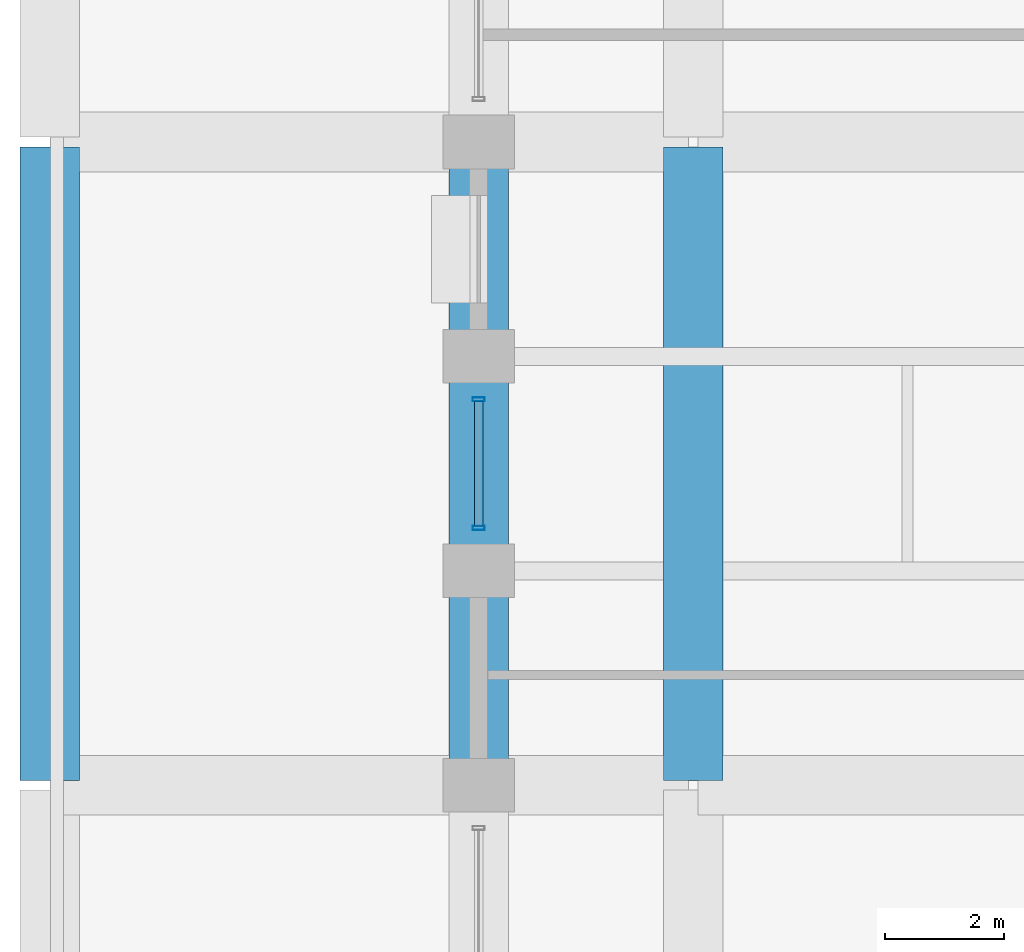
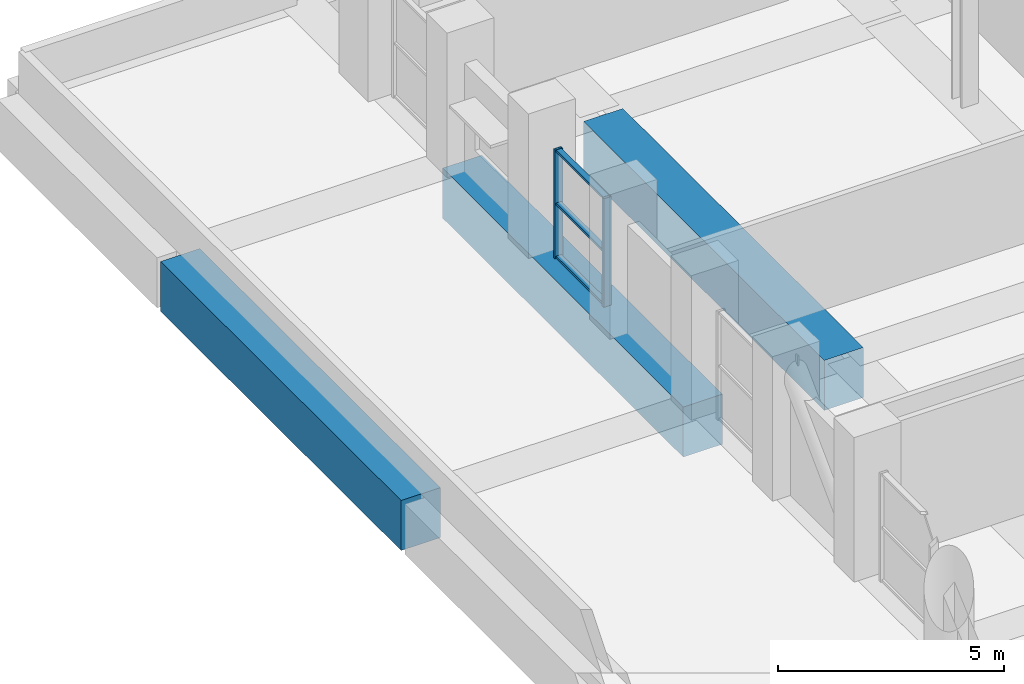
# One storey, part 21 of 39: 5 members, 3 beams, 1 element without a shape of its own.
"""IFC4 building model written with IfcOpenShell, lengths in metres."""

from ifc_helpers import new_model, si_unit, direction, frame, origin, origin_2d, place, context, subcontext, project, spatial, rectangle, hollow_rectangle, extrude, material, layer, layer_set, material_profile, profile_set, type_object, element, aggregate, save


model = new_model("IFC4")

# Units and contexts
model_context = context("Model", 3, precision=1e-05, world=origin(), true_north=direction((0.0, 1.0)))
body_context = subcontext(model_context, "Body", "Model", "MODEL_VIEW")
ifc_project = project(units=[si_unit("LENGTHUNIT", "METRE"), si_unit("AREAUNIT", "SQUARE_METRE"), si_unit("VOLUMEUNIT", "CUBIC_METRE"), si_unit("PLANEANGLEUNIT", "RADIAN"), si_unit("MASSUNIT", "GRAM", prefix="KILO")], contexts=[model_context])

# Site, building, storey
site_placement = place(None, origin())
site = spatial("IfcSite", under=ifc_project, at=site_placement, CompositionType="ELEMENT")
building_placement = place(site_placement, origin())
building = spatial("IfcBuilding", under=site, at=building_placement, Name="Solnavia Interchange Tower", CompositionType="ELEMENT")
storey_placement = place(building_placement, frame((0.0, 0.0, 24.0)))
storey = spatial("IfcBuildingStorey", under=building, at=storey_placement, Name="L05", CompositionType="ELEMENT", Elevation=24.0)

# Beams
ifc_material_1 = material(Name="Concrete C60/75", Category="concrete")
ifc_material_profile_1 = material_profile(ifc_material_1, rectangle(XDim=1.0, YDim=1.35009765625, at=origin_2d()), Name="RC 1000x1350")
ifc_profile_set_1 = profile_set([ifc_material_profile_1], Name="Concrete C60/75")
beam_type = type_object("IfcBeamType", Name="Beam-Transfer-RC1000x1350", PredefinedType="BEAM", material=ifc_profile_set_1)
for number, where, z_axis, x_axis, name in (
    (1, (0.0, 32.47998046875, -0.675048828125), (0.0, 1.0, 0.0), (-1.0, 0.0, 0.0), "TRB-L05-33 West N-S primary transfer girder"),
    (2, (10.800048828125, 32.47998046875, -0.675048828125), (0.0, 1.0, 0.0), (-1.0, 0.0, 0.0), "TRB-L05-38 West N-S primary transfer girder"),
    (3, (7.199951171875, 32.47998046875, -0.675048828125), (0.0, 1.0, 0.0), (-1.0, 0.0, 0.0), "TRB-L05-57 West tower perimeter transfer girder"),
):
    element("IfcBeam", number, at=place(storey_placement, frame(where, z_axis=z_axis, x_axis=x_axis)), inside=storey, type_object=beam_type, Name=name, PredefinedType="BEAM", context=body_context, shape_type="SweptSolid", body=[
        extrude(rectangle(XDim=1.0, YDim=1.35009765625, at=origin_2d()), origin(), (0.0, 0.0, 1.0), 10.64013671875),
    ])

# Curtain wall, members
ifc_material_2 = material(Name="Aluminium Alloy 6063-T6", Category="aluminium")
ifc_layer = layer(ifc_material_2, 0.219970703125)
ifc_layer_set = layer_set([ifc_layer], Name="Aluminium Alloy 6063-T6")
curtain_wall_type = type_object("IfcCurtainWallType", Name="CurtainWall-Tower-CTW3", PredefinedType="NOTDEFINED", material=ifc_layer_set)
curtain_wall_placement = place(storey_placement, origin())
curtain_wall = element("IfcCurtainWall", 4, at=curtain_wall_placement, inside=storey, type_object=curtain_wall_type, Name="CTW-L05-S52 CTW-3 curtain wall", PredefinedType="NOTDEFINED")
ifc_material_profile_2 = material_profile(ifc_material_2, hollow_rectangle(XDim=0.070068359375, YDim=0.199951171875, WallThickness=0.0048828125, at=origin_2d()), Name="ALU 200x70x5")
ifc_profile_set_2 = profile_set([ifc_material_profile_2], Name="Aluminium Alloy 6063-T6")
member_type_1 = type_object("IfcMemberType", Name="CW-Mullion-CWM-3", PredefinedType="MULLION", material=ifc_profile_set_2)
member_1_placement = place(storey_placement, frame((7.199951171875, 38.8798828125, 0.0), z_axis=(0.0, 0.0, 1.0), x_axis=(0.0, -1.0, 0.0)))
member_1 = element("IfcMember", 5, at=member_1_placement, type_object=member_type_1, Name="CTW-3 mullion 1", PredefinedType="MULLION", context=body_context, shape_type="SweptSolid", body=[
    extrude(hollow_rectangle(XDim=0.070068359375, YDim=0.199951171875, WallThickness=0.0048828125, at=origin_2d()), origin(), (0.0, 0.0, 1.0), 2.929931640625),
])
member_2_placement = place(storey_placement, frame((7.199951171875, 36.719970703125, 0.0), z_axis=(0.0, 0.0, 1.0), x_axis=(0.0, -1.0, 0.0)))
member_2 = element("IfcMember", 6, at=member_2_placement, type_object=member_type_1, Name="CTW-3 mullion 2", PredefinedType="MULLION", context=body_context, shape_type="SweptSolid", body=[
    extrude(hollow_rectangle(XDim=0.070068359375, YDim=0.199951171875, WallThickness=0.0048828125, at=origin_2d()), origin(), (0.0, 0.0, 1.0), 2.929931640625),
])
ifc_material_profile_3 = material_profile(ifc_material_2, hollow_rectangle(XDim=0.06494140625, YDim=0.139892578125, WallThickness=0.00390625, at=origin_2d()), Name="ALU 140x65x4")
ifc_profile_set_3 = profile_set([ifc_material_profile_3], Name="Aluminium Alloy 6063-T6")
member_type_2 = type_object("IfcMemberType", Name="CW-Transom-CWT-3", PredefinedType="USERDEFINED", material=ifc_profile_set_3)
member_3_placement = place(storey_placement, frame((7.199951171875, 38.844970703125, 0.032470703125), z_axis=(0.0, -1.0, 0.0), x_axis=(0.0, 0.0, 1.0)))
member_3 = element("IfcMember", 7, at=member_3_placement, type_object=member_type_2, Name="CTW-3 transom 1.1", ObjectType="TRANSOM", PredefinedType="USERDEFINED", context=body_context, shape_type="SweptSolid", body=[
    extrude(hollow_rectangle(XDim=0.06494140625, YDim=0.139892578125, WallThickness=0.00390625, at=origin_2d()), origin(), (0.0, 0.0, 1.0), 2.090087890625),
])
member_4_placement = place(storey_placement, frame((7.199951171875, 38.844970703125, 1.465087890625), z_axis=(0.0, -1.0, 0.0), x_axis=(0.0, 0.0, 1.0)))
member_4 = element("IfcMember", 8, at=member_4_placement, type_object=member_type_2, Name="CTW-3 transom 1.2", ObjectType="TRANSOM", PredefinedType="USERDEFINED", context=body_context, shape_type="SweptSolid", body=[
    extrude(hollow_rectangle(XDim=0.06494140625, YDim=0.139892578125, WallThickness=0.00390625, at=origin_2d()), origin(), (0.0, 0.0, 1.0), 2.090087890625),
])
member_5_placement = place(storey_placement, frame((7.199951171875, 38.844970703125, 2.8974609375), z_axis=(0.0, -1.0, 0.0), x_axis=(0.0, 0.0, 1.0)))
member_5 = element("IfcMember", 9, at=member_5_placement, type_object=member_type_2, Name="CTW-3 transom 1.3", ObjectType="TRANSOM", PredefinedType="USERDEFINED", context=body_context, shape_type="SweptSolid", body=[
    extrude(hollow_rectangle(XDim=0.06494140625, YDim=0.139892578125, WallThickness=0.00390625, at=origin_2d()), origin(), (0.0, 0.0, 1.0), 2.090087890625),
])
aggregate(curtain_wall, [member_1, member_2, member_3, member_4, member_5])

save(model, "model.ifc")
